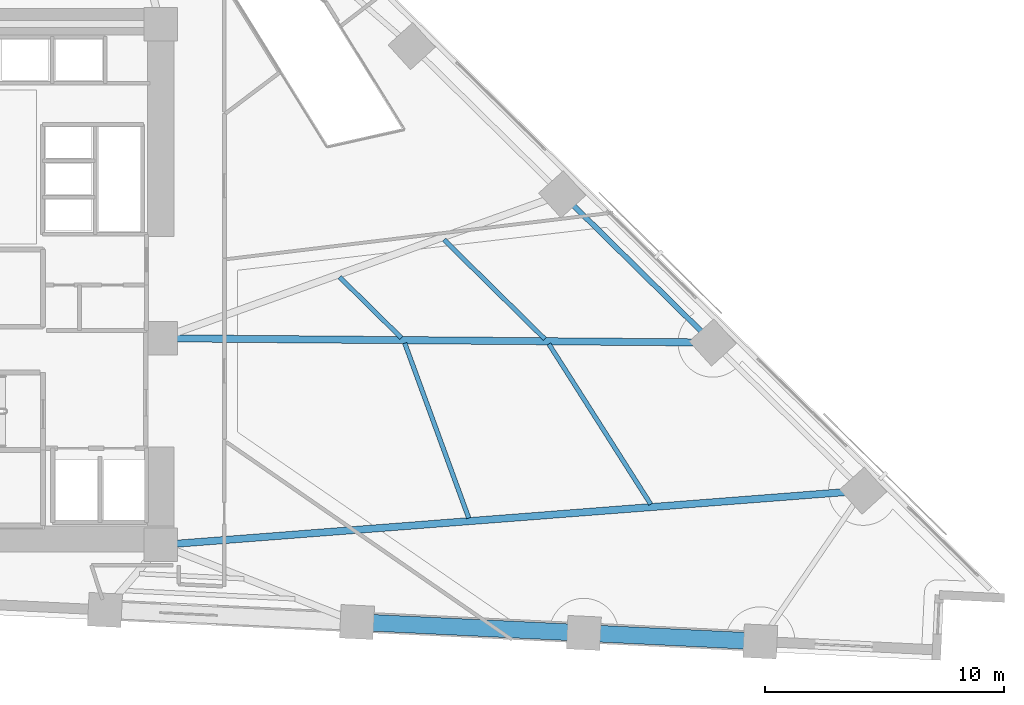
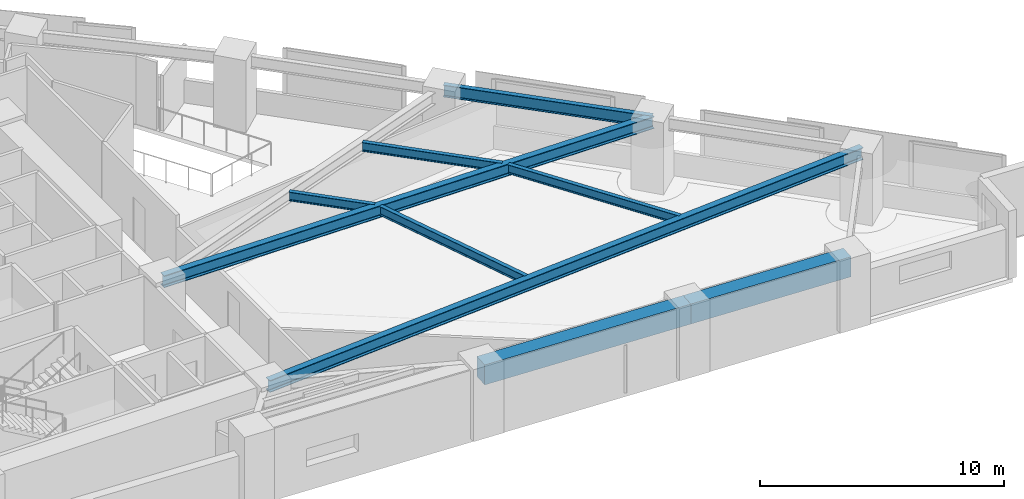
# One storey, part 3 of 17: 9 beams.
"""IFC4 building model written with IfcOpenShell, lengths in metres."""

from ifc_helpers import new_model, si_unit, direction, frame, origin, origin_2d, place, context, subcontext, project, spatial, rectangle, i_section, extrude, material, material_profile, profile_set, type_object, element, save


model = new_model("IFC4")

# Units and contexts
model_context = context("Model", 3, precision=1e-05, world=origin(), true_north=direction((0.0, 1.0)))
body_context = subcontext(model_context, "Body", "Model", "MODEL_VIEW")
ifc_project = project(units=[si_unit("LENGTHUNIT", "METRE"), si_unit("AREAUNIT", "SQUARE_METRE"), si_unit("VOLUMEUNIT", "CUBIC_METRE"), si_unit("PLANEANGLEUNIT", "RADIAN"), si_unit("MASSUNIT", "GRAM", prefix="KILO")], contexts=[model_context])

# Site, building, storey
site_placement = place(None, origin())
site = spatial("IfcSite", under=ifc_project, at=site_placement, CompositionType="ELEMENT")
building_placement = place(site_placement, origin())
building = spatial("IfcBuilding", under=site, at=building_placement, Name="Narakoshi Arena Tower", CompositionType="ELEMENT")
storey_placement = place(building_placement, frame((0.0, 0.0, 30.300048828125)))
storey = spatial("IfcBuildingStorey", under=building, at=storey_placement, Name="L07", CompositionType="ELEMENT", Elevation=30.300048828125)

# Beams
ifc_material_1 = material(Name="Concrete C60/75", Category="concrete")
ifc_material_profile_1 = material_profile(ifc_material_1, rectangle(XDim=0.699951171875, YDim=1.0, at=origin_2d()), Name="RCB700x1000")
ifc_profile_set_1 = profile_set([ifc_material_profile_1], Name="Concrete C60/75")
beam_type_1 = type_object("IfcBeamType", Name="BM-CPL-1000", PredefinedType="BEAM", material=ifc_profile_set_1)
beam_1_placement = place(storey_placement, frame((93.760009765625, 31.472412109375, 2.89990234375), z_axis=(0.998849228903, -0.047960587155, 0.0), x_axis=(0.047960587155, 0.998849228903, 0.0)))
element("IfcBeam", 1, at=beam_1_placement, inside=storey, type_object=beam_type_1, Name="L07 Perimeter Edge Girder 02", PredefinedType="BEAM", context=body_context, shape_type="SweptSolid", body=[
    extrude(rectangle(XDim=0.699951171875, YDim=1.0, at=origin_2d()), origin(), (0.0, 0.0, 1.0), 9.50390625),
])
beam_2_placement = place(storey_placement, frame((103.2529296875, 31.0166015625, 2.89990234375), z_axis=(0.998847872759, -0.047988822508, 0.0), x_axis=(0.047988822508, 0.998847872759, 0.0)))
element("IfcBeam", 2, at=beam_2_placement, inside=storey, type_object=beam_type_1, Name="L07 Perimeter Edge Girder 03", PredefinedType="BEAM", context=body_context, shape_type="SweptSolid", body=[
    extrude(rectangle(XDim=0.699951171875, YDim=1.0, at=origin_2d()), origin(), (0.0, 0.0, 1.0), 7.39208984375),
])
ifc_material_2 = material(Name="Structural steel S355J2", Category="steel")
ifc_material_profile_2 = material_profile(ifc_material_2, i_section(OverallWidth=0.219970703125, OverallDepth=0.60009765625, WebThickness=0.011962890625, FlangeThickness=0.01904296875, FilletRadius=0.02392578125, at=origin_2d()), Name="IPE600")
ifc_profile_set_2 = profile_set([ifc_material_profile_2], Name="Structural steel S355J2")
beam_type_2 = type_object("IfcBeamType", Name="BM-EDGE-600", PredefinedType="BEAM", material=ifc_profile_set_2)
beam_3_placement = place(storey_placement, frame((108.643798828125, 43.171875, 3.099853515625), z_axis=(-0.712540689328, 0.70163079041, 0.0), x_axis=(-0.70163079041, -0.712540689328, 0.0)))
element("IfcBeam", 3, at=beam_3_placement, inside=storey, type_object=beam_type_2, Name="L07 Perimeter Edge Girder 06", PredefinedType="BEAM", context=body_context, shape_type="SweptSolid", body=[
    extrude(i_section(OverallWidth=0.219970703125, OverallDepth=0.60009765625, WebThickness=0.011962890625, FlangeThickness=0.01904296875, FilletRadius=0.02392578125, at=origin_2d()), origin(), (0.0, 0.0, 1.0), 8.83935546875),
])
ifc_material_profile_3 = material_profile(ifc_material_2, i_section(OverallWidth=0.300048828125, OverallDepth=0.60009765625, WebThickness=0.015380859375, FlangeThickness=0.030029296875, FilletRadius=0.027099609375, at=origin_2d()), Name="HE600B")
ifc_profile_set_3 = profile_set([ifc_material_profile_3], Name="Structural steel S355J2")
beam_type_3 = type_object("IfcBeamType", Name="BM-PRI-600", PredefinedType="BEAM", material=ifc_profile_set_3)
beam_4_placement = place(storey_placement, frame((85.550048828125, 34.699951171875, 3.099853515625), z_axis=(0.99703085997, 0.077003014669, 0.0), x_axis=(-0.077003014669, 0.99703085997, 0.0)))
element("IfcBeam", 4, at=beam_4_placement, inside=storey, type_object=beam_type_3, Name="L07 Radial Primary Floor Girder 05", PredefinedType="BEAM", context=body_context, shape_type="SweptSolid", body=[
    extrude(i_section(OverallWidth=0.300048828125, OverallDepth=0.60009765625, WebThickness=0.015380859375, FlangeThickness=0.030029296875, FilletRadius=0.027099609375, at=origin_2d()), origin(), (0.0, 0.0, 1.0), 29.479736328125),
])
beam_5_placement = place(storey_placement, frame((85.550048828125, 43.35009765625, 3.099853515625), z_axis=(0.99997022255, -0.00771712473, 0.0), x_axis=(0.00771712473, 0.99997022255, 0.0)))
element("IfcBeam", 5, at=beam_5_placement, inside=storey, type_object=beam_type_3, Name="L07 Radial Primary Floor Girder 06", PredefinedType="BEAM", context=body_context, shape_type="SweptSolid", body=[
    extrude(i_section(OverallWidth=0.300048828125, OverallDepth=0.60009765625, WebThickness=0.015380859375, FlangeThickness=0.030029296875, FilletRadius=0.027099609375, at=origin_2d()), origin(), (0.0, 0.0, 1.0), 23.094482421875),
])
ifc_material_profile_4 = material_profile(ifc_material_2, i_section(OverallWidth=0.18994140625, OverallDepth=0.449951171875, WebThickness=0.009521484375, FlangeThickness=0.0146484375, FilletRadius=0.02099609375, at=origin_2d()), Name="IPE450")
ifc_profile_set_4 = profile_set([ifc_material_profile_4], Name="Structural steel S355J2")
beam_type_4 = type_object("IfcBeamType", Name="BM-SEC-450", PredefinedType="JOIST", material=ifc_profile_set_4)
beam_6_placement = place(storey_placement, frame((98.436279296875, 35.825439453125, 3.175048828125), z_axis=(-0.343646214549, 0.939099184978, 0.0), x_axis=(-0.939099184978, -0.343646214549, 0.0)))
element("IfcBeam", 6, at=beam_6_placement, inside=storey, type_object=beam_type_4, Name="L07 Composite Secondary Floor Joist 03", PredefinedType="JOIST", context=body_context, shape_type="SweptSolid", body=[
    extrude(i_section(OverallWidth=0.18994140625, OverallDepth=0.449951171875, WebThickness=0.009521484375, FlangeThickness=0.0146484375, FilletRadius=0.02099609375, at=origin_2d()), origin(), (0.0, 0.0, 1.0), 7.794189453125),
])
beam_7_placement = place(storey_placement, frame((106.052001953125, 36.40283203125, 3.175048828125), z_axis=(-0.536416331891, 0.843953505165, 0.0), x_axis=(-0.843953505165, -0.536416331891, 0.0)))
element("IfcBeam", 7, at=beam_7_placement, inside=storey, type_object=beam_type_4, Name="L07 Composite Secondary Floor Joist 04", PredefinedType="JOIST", context=body_context, shape_type="SweptSolid", body=[
    extrude(i_section(OverallWidth=0.18994140625, OverallDepth=0.449951171875, WebThickness=0.009521484375, FlangeThickness=0.0146484375, FilletRadius=0.02099609375, at=origin_2d()), origin(), (0.0, 0.0, 1.0), 7.948974609375),
])
beam_8_placement = place(storey_placement, frame((95.614990234375, 43.366455078125, 3.175048828125), z_axis=(-0.71254969756, 0.701621641989, 0.0), x_axis=(-0.701621641989, -0.71254969756, 0.0)))
element("IfcBeam", 8, at=beam_8_placement, inside=storey, type_object=beam_type_4, Name="L07 Composite Secondary Floor Joist 05", PredefinedType="JOIST", context=body_context, shape_type="SweptSolid", body=[
    extrude(i_section(OverallWidth=0.18994140625, OverallDepth=0.449951171875, WebThickness=0.009521484375, FlangeThickness=0.0146484375, FilletRadius=0.02099609375, at=origin_2d()), origin(), (0.0, 0.0, 1.0), 3.619140625),
])
beam_9_placement = place(storey_placement, frame((101.619384765625, 43.320068359375, 3.175048828125), z_axis=(-0.71253191184, 0.701639704271, 0.0), x_axis=(-0.701639704271, -0.71253191184, 0.0)))
element("IfcBeam", 9, at=beam_9_placement, inside=storey, type_object=beam_type_4, Name="L07 Composite Secondary Floor Joist 06", PredefinedType="JOIST", context=body_context, shape_type="SweptSolid", body=[
    extrude(i_section(OverallWidth=0.18994140625, OverallDepth=0.449951171875, WebThickness=0.009521484375, FlangeThickness=0.0146484375, FilletRadius=0.02099609375, at=origin_2d()), origin(), (0.0, 0.0, 1.0), 5.91748046875),
])

save(model, "model.ifc")
